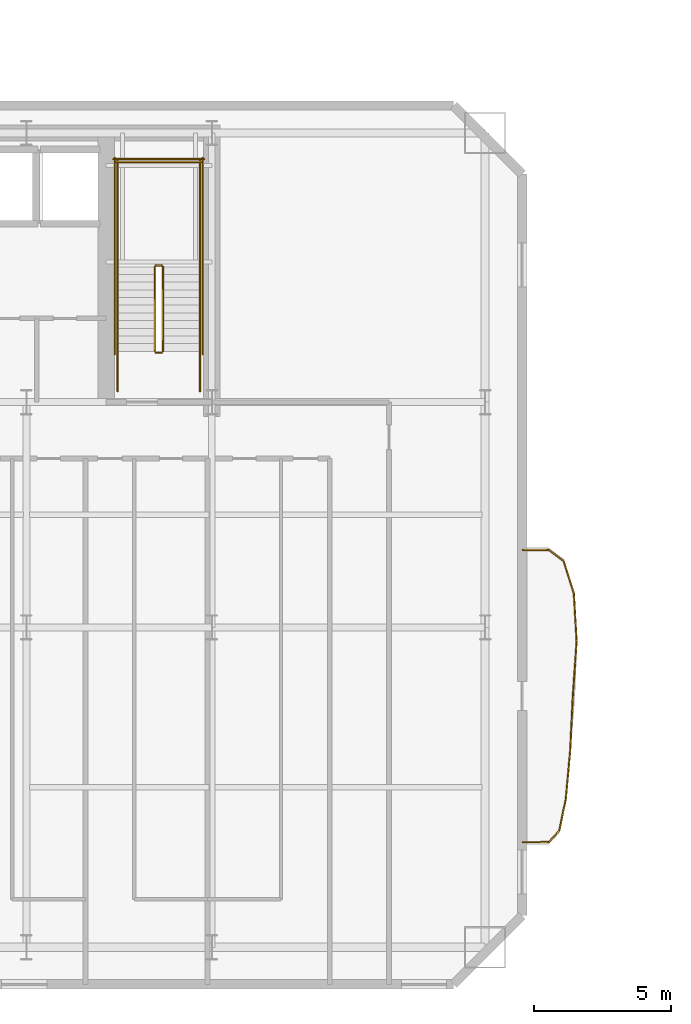
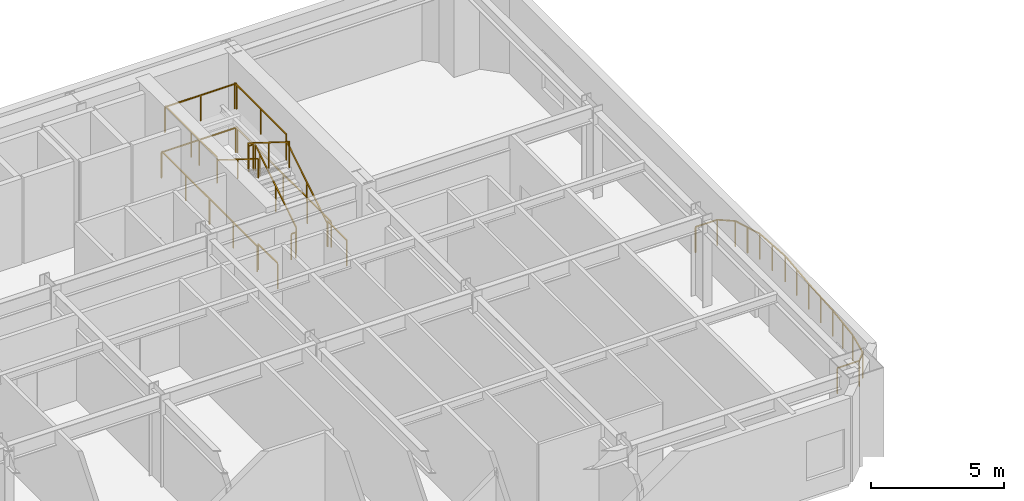
# One storey, part 13 of 15: 24 railings.
"""IFC4 building model written with IfcOpenShell, lengths in metres."""

from ifc_helpers import new_model, si_unit, direction, frame, origin, origin_2d, place, context, subcontext, project, spatial, rectangle, extrude, material, type_object, element, save


model = new_model("IFC4")

# Units and contexts
model_context = context("Model", 3, precision=1e-05, world=origin(), true_north=direction((0.0, 1.0)))
body_context = subcontext(model_context, "Body", "Model", "MODEL_VIEW")
ifc_project = project(units=[si_unit("LENGTHUNIT", "METRE"), si_unit("AREAUNIT", "SQUARE_METRE"), si_unit("VOLUMEUNIT", "CUBIC_METRE"), si_unit("PLANEANGLEUNIT", "RADIAN"), si_unit("MASSUNIT", "GRAM", prefix="KILO")], contexts=[model_context])

# Site, building, storey
site_placement = place(None, origin())
site = spatial("IfcSite", under=ifc_project, at=site_placement, CompositionType="ELEMENT")
building_placement = place(site_placement, origin())
building = spatial("IfcBuilding", under=site, at=building_placement, Name="Haevon Station Towers", CompositionType="ELEMENT")
storey_placement = place(building_placement, frame((0.0, 0.0, 73.5)))
storey = spatial("IfcBuildingStorey", under=building, at=storey_placement, Name="L19", CompositionType="ELEMENT", Elevation=73.5)

# Railings
ifc_material = material(Name="Steel S355", Category="steel")
railing_type_1 = type_object("IfcRailingType", Name="GRD-EXT1200", PredefinedType="GUARDRAIL", material=ifc_material)
railing_1_placement = place(storey_placement, frame((62.3232421875, 22.177978515625, 0.0)))
element("IfcRailing", 1, at=railing_1_placement, inside=storey, type_object=railing_type_1, Name="L19 Perimeter Guardrail 1", PredefinedType="GUARDRAIL", context=body_context, shape_type="SweptSolid", body=[
    extrude(rectangle(XDim=0.048095703125, YDim=0.048095703125, at=origin_2d()), frame((0.0, 0.0, 1.17578125), z_axis=(0.999997857851, 0.002069853263, 0.0), x_axis=(-0.002069853263, 0.999997857851, 0.0)), (0.0, 0.0, 1.0), 0.943603515625),
    extrude(rectangle(XDim=0.0419921875, YDim=0.0419921875, at=origin_2d()), origin(), (0.0, 0.0, 1.0), 1.15185546875),
    extrude(rectangle(XDim=0.0419921875, YDim=0.0419921875, at=origin_2d()), frame((0.943603515625, 0.001953125, 0.0)), (0.0, 0.0, 1.0), 1.15185546875),
])
railing_2_placement = place(storey_placement, frame((63.266845703125, 22.179931640625, 0.0)))
element("IfcRailing", 2, at=railing_2_placement, inside=storey, type_object=railing_type_1, Name="L19 Perimeter Guardrail 2", PredefinedType="GUARDRAIL", context=body_context, shape_type="SweptSolid", body=[
    extrude(rectangle(XDim=0.048095703125, YDim=0.048095703125, at=origin_2d()), frame((0.0, 0.0, 1.17578125), z_axis=(0.68353731977, 0.72991556531, 0.0), x_axis=(-0.72991556531, 0.68353731977, 0.0)), (0.0, 0.0, 1.0), 0.563232421875),
    extrude(rectangle(XDim=0.0419921875, YDim=0.0419921875, at=origin_2d()), origin(), (0.0, 0.0, 1.0), 1.15185546875),
    extrude(rectangle(XDim=0.0419921875, YDim=0.0419921875, at=origin_2d()), frame((0.385009765625, 0.4111328125, 0.0)), (0.0, 0.0, 1.0), 1.15185546875),
])
railing_3_placement = place(storey_placement, frame((63.65185546875, 22.591064453125, 0.0)))
element("IfcRailing", 3, at=railing_3_placement, inside=storey, type_object=railing_type_1, Name="L19 Perimeter Guardrail 3", PredefinedType="GUARDRAIL", context=body_context, shape_type="SweptSolid", body=[
    extrude(rectangle(XDim=0.048095703125, YDim=0.048095703125, at=origin_2d()), frame((0.0, 0.0, 1.17578125), z_axis=(0.201497232752, 0.979489083754, 0.0), x_axis=(-0.979489083754, 0.201497232752, 0.0)), (0.0, 0.0, 1.0), 1.194580078125),
    extrude(rectangle(XDim=0.0419921875, YDim=0.0419921875, at=origin_2d()), origin(), (0.0, 0.0, 1.0), 1.15185546875),
    extrude(rectangle(XDim=0.0419921875, YDim=0.0419921875, at=origin_2d()), frame((0.24072265625, 1.170166015625, 0.0)), (0.0, 0.0, 1.0), 1.15185546875),
])
railing_4_placement = place(storey_placement, frame((63.892578125, 23.76123046875, 0.0)))
element("IfcRailing", 4, at=railing_4_placement, inside=storey, type_object=railing_type_1, Name="L19 Perimeter Guardrail 4", PredefinedType="GUARDRAIL", context=body_context, shape_type="SweptSolid", body=[
    extrude(rectangle(XDim=0.048095703125, YDim=0.048095703125, at=origin_2d()), frame((0.0, 0.0, 1.17578125), z_axis=(0.090172444535, 0.995926167066, 0.0), x_axis=(-0.995926167066, 0.090172444535, 0.0)), (0.0, 0.0, 1.0), 1.757080078125),
    extrude(rectangle(XDim=0.0419921875, YDim=0.0419921875, at=origin_2d()), origin(), (0.0, 0.0, 1.0), 1.15185546875),
    extrude(rectangle(XDim=0.0419921875, YDim=0.0419921875, at=origin_2d()), frame((0.0791015625, 0.875, 0.0)), (0.0, 0.0, 1.0), 1.15185546875),
    extrude(rectangle(XDim=0.0419921875, YDim=0.0419921875, at=origin_2d()), frame((0.158447265625, 1.75, 0.0)), (0.0, 0.0, 1.0), 1.15185546875),
])
railing_5_placement = place(storey_placement, frame((64.051025390625, 25.51123046875, 0.0)))
element("IfcRailing", 5, at=railing_5_placement, inside=storey, type_object=railing_type_1, Name="L19 Perimeter Guardrail 5", PredefinedType="GUARDRAIL", context=body_context, shape_type="SweptSolid", body=[
    extrude(rectangle(XDim=0.048095703125, YDim=0.048095703125, at=origin_2d()), frame((0.0, 0.0, 1.17578125), z_axis=(0.047454457012, 0.998873402644, 0.0), x_axis=(-0.998873402644, 0.047454457012, 0.0)), (0.0, 0.0, 1.0), 1.990966796875),
    extrude(rectangle(XDim=0.0419921875, YDim=0.0419921875, at=origin_2d()), origin(), (0.0, 0.0, 1.0), 1.15185546875),
    extrude(rectangle(XDim=0.0419921875, YDim=0.0419921875, at=origin_2d()), frame((0.04736328125, 0.994384765625, 0.0)), (0.0, 0.0, 1.0), 1.15185546875),
    extrude(rectangle(XDim=0.0419921875, YDim=0.0419921875, at=origin_2d()), frame((0.094482421875, 1.98876953125, 0.0)), (0.0, 0.0, 1.0), 1.15185546875),
])
railing_6_placement = place(storey_placement, frame((64.1455078125, 27.5, 0.0)))
element("IfcRailing", 6, at=railing_6_placement, inside=storey, type_object=railing_type_1, Name="L19 Perimeter Guardrail 6", PredefinedType="GUARDRAIL", context=body_context, shape_type="SweptSolid", body=[
    extrude(rectangle(XDim=0.048095703125, YDim=0.048095703125, at=origin_2d()), frame((0.0, 0.0, 1.17578125), z_axis=(0.070082284887, 0.997541213858, 0.0), x_axis=(-0.997541213858, 0.070082284887, 0.0)), (0.0, 0.0, 1.0), 1.99609375),
    extrude(rectangle(XDim=0.0419921875, YDim=0.0419921875, at=origin_2d()), origin(), (0.0, 0.0, 1.0), 1.15185546875),
    extrude(rectangle(XDim=0.0419921875, YDim=0.0419921875, at=origin_2d()), frame((0.06982421875, 0.99560546875, 0.0)), (0.0, 0.0, 1.0), 1.15185546875),
    extrude(rectangle(XDim=0.0419921875, YDim=0.0419921875, at=origin_2d()), frame((0.139892578125, 1.9912109375, 0.0)), (0.0, 0.0, 1.0), 1.15185546875),
])
railing_7_placement = place(storey_placement, frame((64.285400390625, 29.4912109375, 0.0)))
element("IfcRailing", 7, at=railing_7_placement, inside=storey, type_object=railing_type_1, Name="L19 Perimeter Guardrail 7", PredefinedType="GUARDRAIL", context=body_context, shape_type="SweptSolid", body=[
    extrude(rectangle(XDim=0.048095703125, YDim=0.048095703125, at=origin_2d()), frame((0.0, 0.0, 1.17578125), z_axis=(-0.057716779897, 0.99833299721, 0.0), x_axis=(-0.99833299721, -0.057716779897, 0.0)), (0.0, 0.0, 1.0), 1.751220703125),
    extrude(rectangle(XDim=0.0419921875, YDim=0.0419921875, at=origin_2d()), origin(), (0.0, 0.0, 1.0), 1.15185546875),
    extrude(rectangle(XDim=0.0419921875, YDim=0.0419921875, at=origin_2d()), frame((-0.050537109375, 0.8740234375, 0.0)), (0.0, 0.0, 1.0), 1.15185546875),
    extrude(rectangle(XDim=0.0419921875, YDim=0.0419921875, at=origin_2d()), frame((-0.10107421875, 1.748291015625, 0.0)), (0.0, 0.0, 1.0), 1.15185546875),
])
railing_8_placement = place(storey_placement, frame((64.184326171875, 31.239501953125, 0.0)))
element("IfcRailing", 8, at=railing_8_placement, inside=storey, type_object=railing_type_1, Name="L19 Perimeter Guardrail 8", PredefinedType="GUARDRAIL", context=body_context, shape_type="SweptSolid", body=[
    extrude(rectangle(XDim=0.048095703125, YDim=0.048095703125, at=origin_2d()), frame((0.0, 0.0, 1.17578125), z_axis=(-0.303367872458, 0.952873514146, 0.0), x_axis=(-0.952873514146, -0.303367872458, 0.0)), (0.0, 0.0, 1.0), 1.227294921875),
    extrude(rectangle(XDim=0.0419921875, YDim=0.0419921875, at=origin_2d()), origin(), (0.0, 0.0, 1.0), 1.15185546875),
    extrude(rectangle(XDim=0.0419921875, YDim=0.0419921875, at=origin_2d()), frame((-0.18603515625, 0.584716796875, 0.0)), (0.0, 0.0, 1.0), 1.15185546875),
    extrude(rectangle(XDim=0.0419921875, YDim=0.0419921875, at=origin_2d()), frame((-0.372314453125, 1.16943359375, 0.0)), (0.0, 0.0, 1.0), 1.15185546875),
])
railing_9_placement = place(storey_placement, frame((63.81201171875, 32.408935546875, 0.0)))
element("IfcRailing", 9, at=railing_9_placement, inside=storey, type_object=railing_type_1, Name="L19 Perimeter Guardrail 9", PredefinedType="GUARDRAIL", context=body_context, shape_type="SweptSolid", body=[
    extrude(rectangle(XDim=0.048095703125, YDim=0.048095703125, at=origin_2d()), frame((0.0, 0.0, 1.17578125), z_axis=(-0.798409676693, 0.602114597201, 0.0), x_axis=(-0.602114597201, -0.798409676693, 0.0)), (0.0, 0.0, 1.0), 0.682861328125),
    extrude(rectangle(XDim=0.0419921875, YDim=0.0419921875, at=origin_2d()), origin(), (0.0, 0.0, 1.0), 1.15185546875),
    extrude(rectangle(XDim=0.0419921875, YDim=0.0419921875, at=origin_2d()), frame((-0.545166015625, 0.4111328125, 0.0)), (0.0, 0.0, 1.0), 1.15185546875),
])
railing_10_placement = place(storey_placement, frame((63.266845703125, 32.820068359375, 0.0)))
element("IfcRailing", 10, at=railing_10_placement, inside=storey, type_object=railing_type_1, Name="L19 Perimeter Guardrail 10", PredefinedType="GUARDRAIL", context=body_context, shape_type="SweptSolid", body=[
    extrude(rectangle(XDim=0.048095703125, YDim=0.048095703125, at=origin_2d()), frame((0.0, 0.0, 1.17578125), z_axis=(-0.999997857851, 0.002069853263, 0.0), x_axis=(-0.002069853263, -0.999997857851, 0.0)), (0.0, 0.0, 1.0), 0.943603515625),
    extrude(rectangle(XDim=0.0419921875, YDim=0.0419921875, at=origin_2d()), origin(), (0.0, 0.0, 1.0), 1.15185546875),
    extrude(rectangle(XDim=0.0419921875, YDim=0.0419921875, at=origin_2d()), frame((-0.943603515625, 0.001953125, 0.0)), (0.0, 0.0, 1.0), 1.15185546875),
])
railing_type_2 = type_object("IfcRailingType", Name="GRD-STR1200", PredefinedType="GUARDRAIL", material=ifc_material)
railing_11_placement = place(storey_placement, frame((49.219970703125, 40.050048828125, 0.175048828125)))
element("IfcRailing", 11, at=railing_11_placement, inside=storey, type_object=railing_type_2, Name="L19 ST2 Stair Guard 1", PredefinedType="GUARDRAIL", context=body_context, shape_type="SweptSolid", body=[
    extrude(rectangle(XDim=0.048095703125, YDim=0.048095703125, at=origin_2d()), frame((0.0, 0.0, 1.17578125), z_axis=(0.0, 0.847979421464, 0.530029150871), x_axis=(-1.0, 0.0, 0.0)), (0.0, 0.0, 1.0), 3.632080078125),
    extrude(rectangle(XDim=0.0419921875, YDim=0.0419921875, at=origin_2d()), origin(), (0.0, 0.0, 1.0), 1.15185546875),
    extrude(rectangle(XDim=0.0419921875, YDim=0.0419921875, at=origin_2d()), frame((0.0, 1.5400390625, 0.96240234375)), (0.0, 0.0, 1.0), 1.15185546875),
    extrude(rectangle(XDim=0.0419921875, YDim=0.0419921875, at=origin_2d()), frame((0.0, 3.079833984375, 1.925048828125)), (0.0, 0.0, 1.0), 1.15185546875),
])
railing_12_placement = place(storey_placement, frame((49.169921875, 43.179931640625, 2.10009765625)))
element("IfcRailing", 12, at=railing_12_placement, inside=storey, type_object=railing_type_2, Name="L19 ST2 Stair Guard 2", PredefinedType="GUARDRAIL", context=body_context, shape_type="SweptSolid", body=[
    extrude(rectangle(XDim=0.048095703125, YDim=0.048095703125, at=origin_2d()), frame((0.0, 0.0, 1.17578125), z_axis=(-1.0, 0.0, 0.0), x_axis=(0.0, -1.0, 0.0)), (0.0, 0.0, 1.0), 0.199951171875),
    extrude(rectangle(XDim=0.0419921875, YDim=0.0419921875, at=origin_2d()), origin(), (0.0, 0.0, 1.0), 1.15185546875),
    extrude(rectangle(XDim=0.0419921875, YDim=0.0419921875, at=origin_2d()), frame((-0.199951171875, 0.0, 0.0)), (0.0, 0.0, 1.0), 1.15185546875),
])
for number, where, name in (
    (13, (50.570068359375, 43.1298828125, 2.10009765625), "L19 ST2 Stair Guard 3"),
    (14, (47.570068359375, 43.1298828125, 2.10009765625), "L19 ST2 Stair Guard 4"),
):
    element("IfcRailing", number, at=place(storey_placement, frame(where)), inside=storey, type_object=railing_type_2, Name=name, PredefinedType="GUARDRAIL", context=body_context, shape_type="SweptSolid", body=[
        extrude(rectangle(XDim=0.048095703125, YDim=0.048095703125, at=origin_2d()), frame((0.0, 0.0, 1.17578125), z_axis=(0.0, 1.0, 0.0), x_axis=(-1.0, 0.0, 0.0)), (0.0, 0.0, 1.0), 3.8701171875),
        extrude(rectangle(XDim=0.0419921875, YDim=0.0419921875, at=origin_2d()), origin(), (0.0, 0.0, 1.0), 1.15185546875),
        extrude(rectangle(XDim=0.0419921875, YDim=0.0419921875, at=origin_2d()), frame((0.0, 1.93505859375, 0.0)), (0.0, 0.0, 1.0), 1.15185546875),
        extrude(rectangle(XDim=0.0419921875, YDim=0.0419921875, at=origin_2d()), frame((0.0, 3.8701171875, 0.0)), (0.0, 0.0, 1.0), 1.15185546875),
    ])
railing_13_placement = place(storey_placement, frame((50.6201171875, 46.949951171875, 2.10009765625)))
element("IfcRailing", 15, at=railing_13_placement, inside=storey, type_object=railing_type_2, Name="L19 ST2 Stair Guard 5", PredefinedType="GUARDRAIL", context=body_context, shape_type="SweptSolid", body=[
    extrude(rectangle(XDim=0.048095703125, YDim=0.048095703125, at=origin_2d()), frame((0.0, 0.0, 1.17578125), z_axis=(-1.0, 0.0, 0.0), x_axis=(0.0, -1.0, 0.0)), (0.0, 0.0, 1.0), 3.10009765625),
    extrude(rectangle(XDim=0.0419921875, YDim=0.0419921875, at=origin_2d()), origin(), (0.0, 0.0, 1.0), 1.15185546875),
    extrude(rectangle(XDim=0.0419921875, YDim=0.0419921875, at=origin_2d()), frame((-1.550048828125, 0.0, 0.0)), (0.0, 0.0, 1.0), 1.15185546875),
    extrude(rectangle(XDim=0.0419921875, YDim=0.0419921875, at=origin_2d()), frame((-3.10009765625, 0.0, 0.0)), (0.0, 0.0, 1.0), 1.15185546875),
])
railing_14_placement = place(storey_placement, frame((48.919921875, 43.1298828125, 2.27490234375)))
element("IfcRailing", 16, at=railing_14_placement, inside=storey, type_object=railing_type_2, Name="L19 ST2 Stair Guard 6", PredefinedType="GUARDRAIL", context=body_context, shape_type="SweptSolid", body=[
    extrude(rectangle(XDim=0.048095703125, YDim=0.048095703125, at=origin_2d()), frame((0.0, 0.0, 1.17578125), z_axis=(0.0, -0.847979421464, 0.530029150871), x_axis=(1.0, 0.0, 0.0)), (0.0, 0.0, 1.0), 3.632080078125),
    extrude(rectangle(XDim=0.0419921875, YDim=0.0419921875, at=origin_2d()), origin(), (0.0, 0.0, 1.0), 1.15185546875),
    extrude(rectangle(XDim=0.0419921875, YDim=0.0419921875, at=origin_2d()), frame((0.0, -1.5400390625, 0.96240234375)), (0.0, 0.0, 1.0), 1.15185546875),
    extrude(rectangle(XDim=0.0419921875, YDim=0.0419921875, at=origin_2d()), frame((0.0, -3.079833984375, 1.925048828125)), (0.0, 0.0, 1.0), 1.15185546875),
])
railing_15_placement = place(storey_placement, frame((49.169921875, 40.0, 0.0)))
element("IfcRailing", 17, at=railing_15_placement, inside=storey, type_object=railing_type_2, Name="L19 ST2 Stair Guard 7", PredefinedType="GUARDRAIL", context=body_context, shape_type="SweptSolid", body=[
    extrude(rectangle(XDim=0.048095703125, YDim=0.048095703125, at=origin_2d()), frame((0.0, 0.0, 1.17578125), z_axis=(-1.0, 0.0, 0.0), x_axis=(0.0, -1.0, 0.0)), (0.0, 0.0, 1.0), 0.199951171875),
    extrude(rectangle(XDim=0.0419921875, YDim=0.0419921875, at=origin_2d()), origin(), (0.0, 0.0, 1.0), 1.15185546875),
    extrude(rectangle(XDim=0.0419921875, YDim=0.0419921875, at=origin_2d()), frame((-0.199951171875, 0.0, 0.0)), (0.0, 0.0, 1.0), 1.15185546875),
])
for number, where, name in (
    (18, (50.570068359375, 38.60009765625, 0.0), "L19 ST2 Stair Guard 8"),
    (19, (47.570068359375, 38.60009765625, 0.0), "L19 ST2 Stair Guard 9"),
):
    element("IfcRailing", number, at=place(storey_placement, frame(where)), inside=storey, type_object=railing_type_2, Name=name, PredefinedType="GUARDRAIL", context=body_context, shape_type="SweptSolid", body=[
        extrude(rectangle(XDim=0.048095703125, YDim=0.048095703125, at=origin_2d()), frame((0.0, 0.0, 1.17578125), z_axis=(0.0, 1.0, 0.0), x_axis=(-1.0, 0.0, 0.0)), (0.0, 0.0, 1.0), 1.449951171875),
        extrude(rectangle(XDim=0.0419921875, YDim=0.0419921875, at=origin_2d()), origin(), (0.0, 0.0, 1.0), 1.15185546875),
        extrude(rectangle(XDim=0.0419921875, YDim=0.0419921875, at=origin_2d()), frame((0.0, 1.449951171875, 0.0)), (0.0, 0.0, 1.0), 1.15185546875),
    ])
for number, where, name in (
    (20, (50.669921875, 39.949951171875, 0.0), "L19 ST2 Stair Guard 10"),
    (21, (47.469970703125, 39.949951171875, 0.0), "L19 ST2 Stair Guard 11"),
):
    element("IfcRailing", number, at=place(storey_placement, frame(where)), inside=storey, type_object=railing_type_2, Name=name, PredefinedType="GUARDRAIL", context=body_context, shape_type="SweptSolid", body=[
        extrude(rectangle(XDim=0.048095703125, YDim=0.048095703125, at=origin_2d()), frame((0.0, 0.0, 1.17578125), z_axis=(0.0, 1.0, 0.0), x_axis=(-1.0, 0.0, 0.0)), (0.0, 0.0, 1.0), 7.150146484375),
        extrude(rectangle(XDim=0.0419921875, YDim=0.0419921875, at=origin_2d()), origin(), (0.0, 0.0, 1.0), 1.15185546875),
        extrude(rectangle(XDim=0.0419921875, YDim=0.0419921875, at=origin_2d()), frame((0.0, 1.78759765625, 0.0)), (0.0, 0.0, 1.0), 1.15185546875),
        extrude(rectangle(XDim=0.0419921875, YDim=0.0419921875, at=origin_2d()), frame((0.0, 3.5751953125, 0.0)), (0.0, 0.0, 1.0), 1.15185546875),
        extrude(rectangle(XDim=0.0419921875, YDim=0.0419921875, at=origin_2d()), frame((0.0, 5.362548828125, 0.0)), (0.0, 0.0, 1.0), 1.15185546875),
        extrude(rectangle(XDim=0.0419921875, YDim=0.0419921875, at=origin_2d()), frame((0.0, 7.150146484375, 0.0)), (0.0, 0.0, 1.0), 1.15185546875),
    ])
railing_16_placement = place(storey_placement, frame((50.719970703125, 47.050048828125, 0.0)))
element("IfcRailing", 22, at=railing_16_placement, inside=storey, type_object=railing_type_2, Name="L19 ST2 Stair Guard 12", PredefinedType="GUARDRAIL", context=body_context, shape_type="SweptSolid", body=[
    extrude(rectangle(XDim=0.048095703125, YDim=0.048095703125, at=origin_2d()), frame((0.0, 0.0, 1.17578125), z_axis=(-1.0, 0.0, 0.0), x_axis=(0.0, -1.0, 0.0)), (0.0, 0.0, 1.0), 3.300048828125),
    extrude(rectangle(XDim=0.0419921875, YDim=0.0419921875, at=origin_2d()), origin(), (0.0, 0.0, 1.0), 1.15185546875),
    extrude(rectangle(XDim=0.0419921875, YDim=0.0419921875, at=origin_2d()), frame((-1.64990234375, 0.0, 0.0)), (0.0, 0.0, 1.0), 1.15185546875),
    extrude(rectangle(XDim=0.0419921875, YDim=0.0419921875, at=origin_2d()), frame((-3.300048828125, 0.0, 0.0)), (0.0, 0.0, 1.0), 1.15185546875),
])
railing_type_3 = type_object("IfcRailingType", Name="HND-STR900", PredefinedType="HANDRAIL", material=ifc_material)
railing_17_placement = place(storey_placement, frame((50.570068359375, 40.050048828125, 0.175048828125)))
element("IfcRailing", 23, at=railing_17_placement, inside=storey, type_object=railing_type_3, Name="L19 ST2 Stair Handrail 1", PredefinedType="HANDRAIL", context=body_context, shape_type="SweptSolid", body=[
    extrude(rectangle(XDim=0.048095703125, YDim=0.048095703125, at=origin_2d()), frame((0.0, 0.0, 0.8759765625), z_axis=(0.0, 0.847979421464, 0.530029150871), x_axis=(-1.0, 0.0, 0.0)), (0.0, 0.0, 1.0), 3.632080078125),
    extrude(rectangle(XDim=0.0419921875, YDim=0.0419921875, at=origin_2d()), origin(), (0.0, 0.0, 1.0), 0.851806640625),
    extrude(rectangle(XDim=0.0419921875, YDim=0.0419921875, at=origin_2d()), frame((0.0, 1.5400390625, 0.96240234375)), (0.0, 0.0, 1.0), 0.851806640625),
    extrude(rectangle(XDim=0.0419921875, YDim=0.0419921875, at=origin_2d()), frame((0.0, 3.079833984375, 1.925048828125)), (0.0, 0.0, 1.0), 0.851806640625),
])
railing_18_placement = place(storey_placement, frame((47.570068359375, 43.1298828125, 2.27490234375)))
element("IfcRailing", 24, at=railing_18_placement, inside=storey, type_object=railing_type_3, Name="L19 ST2 Stair Handrail 2", PredefinedType="HANDRAIL", context=body_context, shape_type="SweptSolid", body=[
    extrude(rectangle(XDim=0.048095703125, YDim=0.048095703125, at=origin_2d()), frame((0.0, 0.0, 0.8759765625), z_axis=(0.0, -0.847979421464, 0.530029150871), x_axis=(1.0, 0.0, 0.0)), (0.0, 0.0, 1.0), 3.632080078125),
    extrude(rectangle(XDim=0.0419921875, YDim=0.0419921875, at=origin_2d()), origin(), (0.0, 0.0, 1.0), 0.851806640625),
    extrude(rectangle(XDim=0.0419921875, YDim=0.0419921875, at=origin_2d()), frame((0.0, -1.5400390625, 0.96240234375)), (0.0, 0.0, 1.0), 0.851806640625),
    extrude(rectangle(XDim=0.0419921875, YDim=0.0419921875, at=origin_2d()), frame((0.0, -3.079833984375, 1.925048828125)), (0.0, 0.0, 1.0), 0.851806640625),
])

save(model, "model.ifc")
